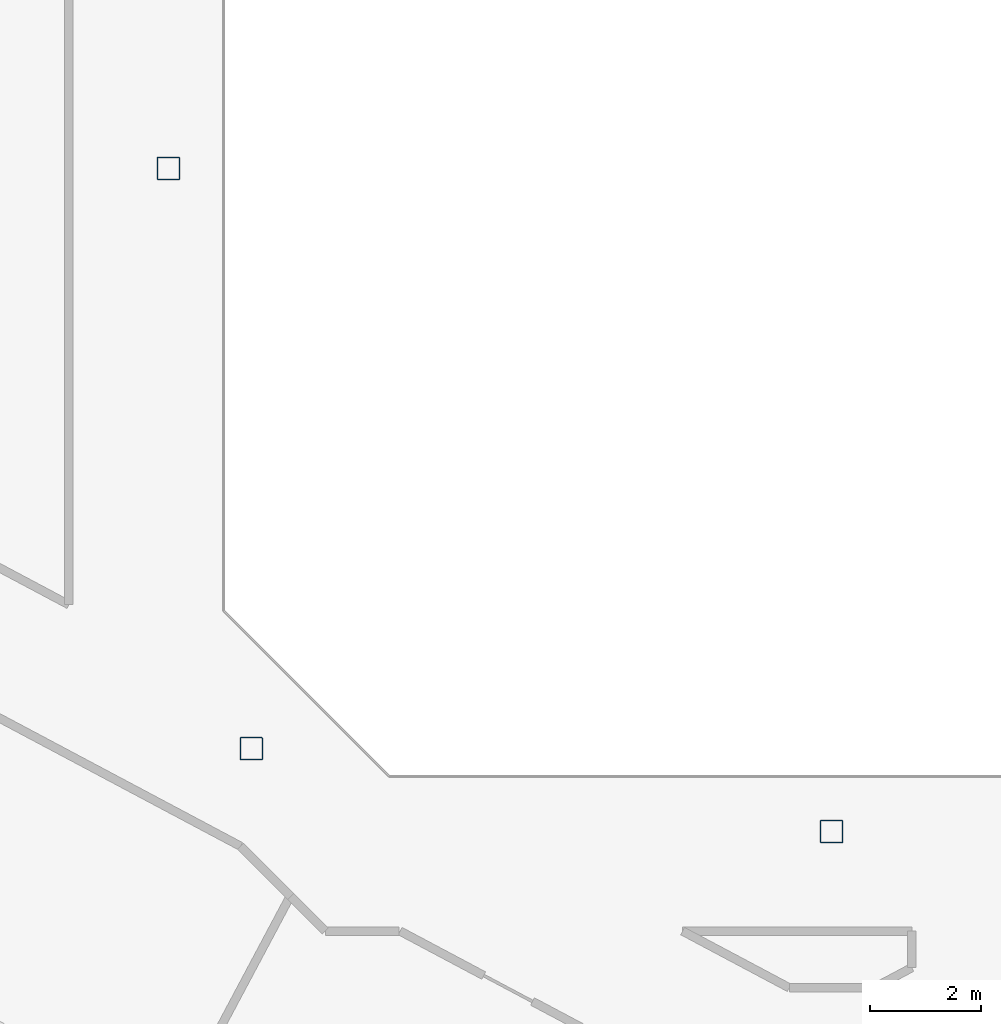
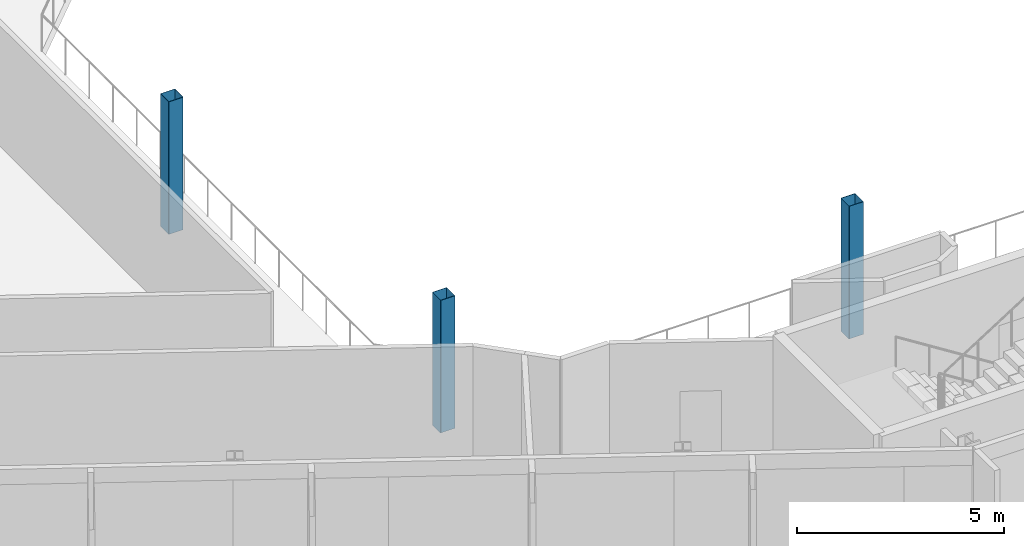
# One storey, part 2 of 26: 3 columns.
"""IFC4 building model written with IfcOpenShell, lengths in metres."""

from ifc_helpers import new_model, si_unit, direction, frame, origin, origin_2d, place, context, subcontext, project, spatial, hollow_rectangle, extrude, material, material_profile, profile_set, type_object, element, save


model = new_model("IFC4")

# Units and contexts
model_context = context("Model", 3, precision=1e-05, world=origin(), true_north=direction((0.0, 1.0)))
body_context = subcontext(model_context, "Body", "Model", "MODEL_VIEW")
ifc_project = project(units=[si_unit("LENGTHUNIT", "METRE"), si_unit("AREAUNIT", "SQUARE_METRE"), si_unit("VOLUMEUNIT", "CUBIC_METRE"), si_unit("PLANEANGLEUNIT", "RADIAN"), si_unit("MASSUNIT", "GRAM", prefix="KILO")], contexts=[model_context])

# Site, building, storey
site_placement = place(None, origin())
site = spatial("IfcSite", under=ifc_project, at=site_placement, CompositionType="ELEMENT")
building_placement = place(site_placement, origin())
building = spatial("IfcBuilding", under=site, at=building_placement, Name="Cormorant Relay Tower", CompositionType="ELEMENT")
storey_placement = place(building_placement, frame((0.0, 0.0, 308.699951171875)))
storey = spatial("IfcBuildingStorey", under=building, at=storey_placement, Name="L70", CompositionType="ELEMENT", Elevation=308.699951171875)

# Columns
ifc_material = material(Name="Steel ASTM A500 Grade C (Fy 345 MPa)", Category="steel")
ifc_material_profile = material_profile(ifc_material, hollow_rectangle(XDim=0.406494140625, YDim=0.406494140625, WallThickness=0.0087890625, InnerFilletRadius=0.00439453125, OuterFilletRadius=0.01318359375, at=origin_2d()), Name="HSS406x406x9")
ifc_profile_set = profile_set([ifc_material_profile], Name="Steel ASTM A500 Grade C (Fy 345 MPa)")
column_type = type_object("IfcColumnType", Name="Column HSS406x406x9", PredefinedType="COLUMN", material=ifc_profile_set)
for number, where, z_axis, x_axis, name in (
    (1, (0.0, -12.0, 0.0), (0.0, 0.0, 1.0), (1.0, 0.0, 0.0), "Column L70-007"),
    (2, (-10.5, -10.5, 0.0), (0.0, 0.0, 1.0), (1.0, 0.0, 0.0), "Column L70-009"),
    (3, (-12.0, 0.0, 0.0), (0.0, 0.0, 1.0), (1.0, 0.0, 0.0), "Column L70-015"),
):
    element("IfcColumn", number, at=place(storey_placement, frame(where, z_axis=z_axis, x_axis=x_axis)), inside=storey, type_object=column_type, Name=name, PredefinedType="COLUMN", context=body_context, shape_type="SweptSolid", body=[
        extrude(hollow_rectangle(XDim=0.406494140625, YDim=0.406494140625, WallThickness=0.0087890625, InnerFilletRadius=0.00439453125, OuterFilletRadius=0.01318359375, at=origin_2d()), origin(), (0.0, 0.0, 1.0), 3.900146484375),
    ])

save(model, "model.ifc")
